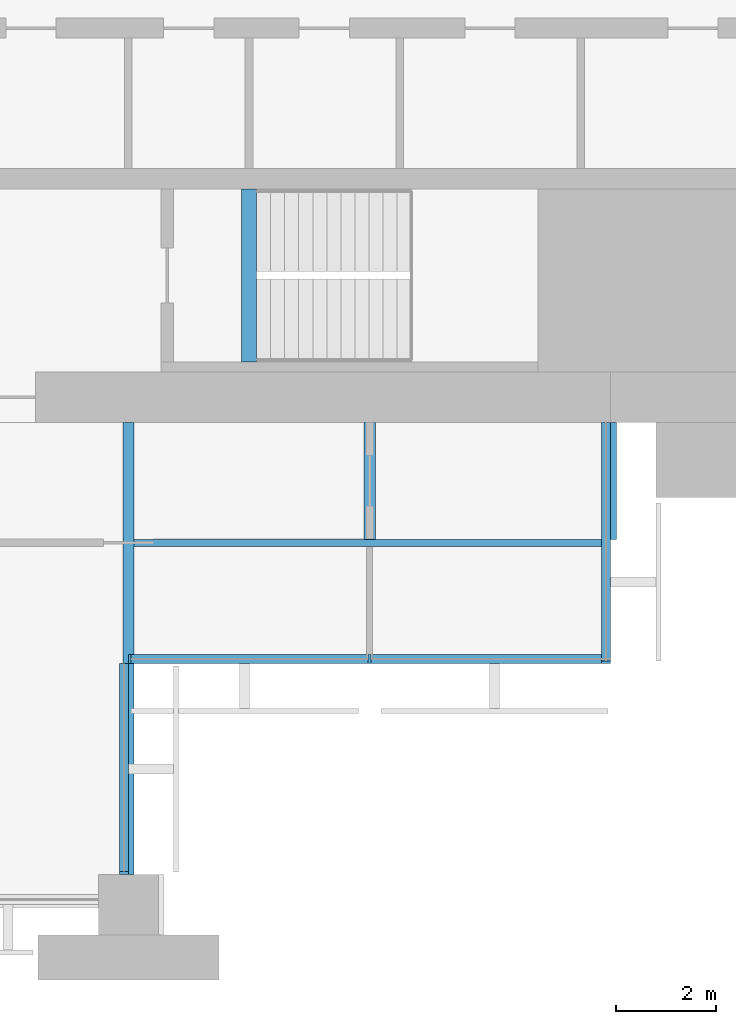
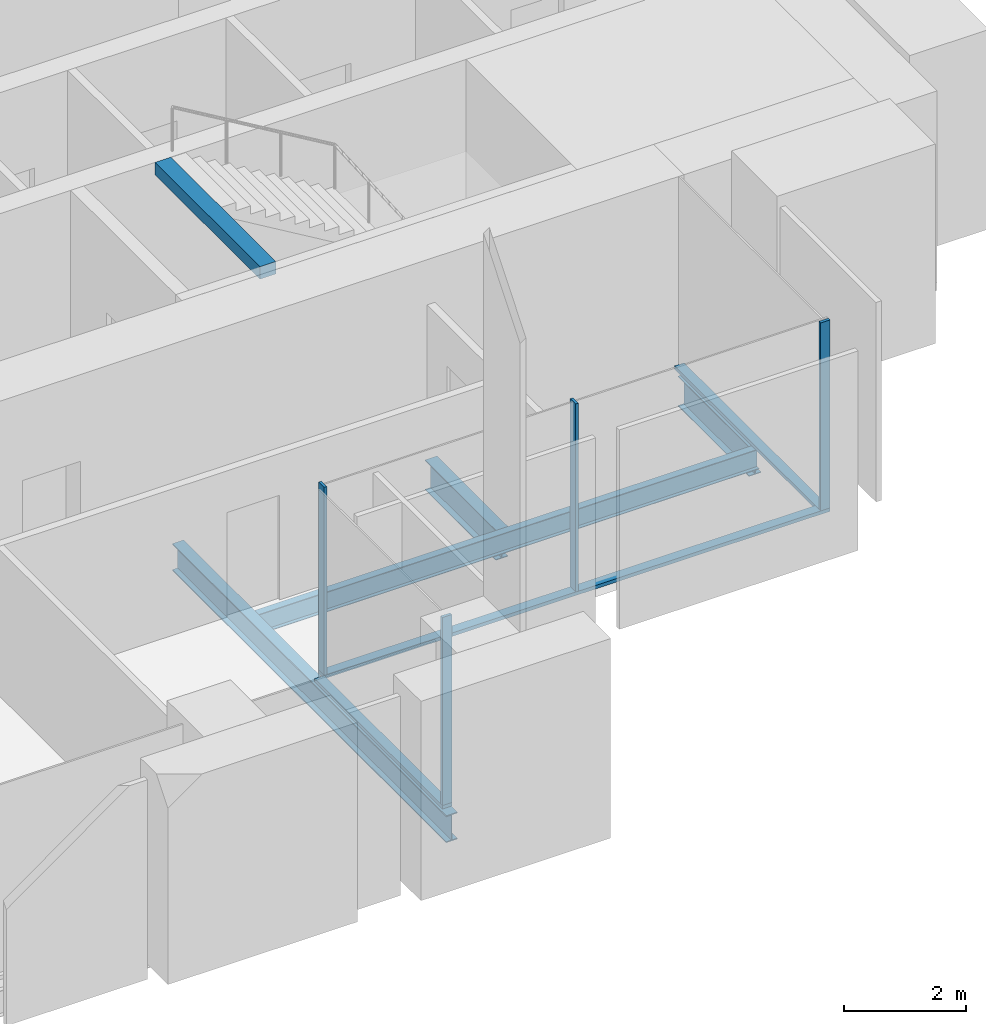
# One storey, part 4 of 14: 7 members, 5 beams, 3 elements without a shape of their own.
"""IFC4 building model written with IfcOpenShell, lengths in metres."""

from ifc_helpers import new_model, si_unit, direction, frame, origin, origin_2d, place, context, subcontext, project, spatial, rectangle, i_section, extrude, material, material_profile, profile_set, type_object, element, aggregate, save


model = new_model("IFC4")

# Units and contexts
model_context = context("Model", 3, precision=1e-05, world=origin(), true_north=direction((0.0, 1.0)))
body_context = subcontext(model_context, "Body", "Model", "MODEL_VIEW")
ifc_project = project(units=[si_unit("LENGTHUNIT", "METRE"), si_unit("AREAUNIT", "SQUARE_METRE"), si_unit("VOLUMEUNIT", "CUBIC_METRE"), si_unit("PLANEANGLEUNIT", "RADIAN"), si_unit("MASSUNIT", "GRAM", prefix="KILO")], contexts=[model_context])

# Site, building, storey
site_placement = place(None, origin())
site = spatial("IfcSite", under=ifc_project, at=site_placement, CompositionType="ELEMENT")
building_placement = place(site_placement, origin())
building = spatial("IfcBuilding", under=site, at=building_placement, Name="Baori Bourse Tower", CompositionType="ELEMENT")
storey_placement = place(building_placement, frame((0.0, 0.0, 108.10009765625)))
storey = spatial("IfcBuildingStorey", under=building, at=storey_placement, Name="L22", CompositionType="ELEMENT", Elevation=108.10009765625)

# Curtain wall, member
ifc_material_1 = material(Name="Pale anodised aluminium", Category="aluminium")
curtain_wall_type = type_object("IfcCurtainWallType", Name="CW2 Curtain wall", PredefinedType="NOTDEFINED", material=ifc_material_1)
curtain_wall_1_placement = place(storey_placement, origin())
curtain_wall_1 = element("IfcCurtainWall", 1, at=curtain_wall_1_placement, inside=storey, type_object=curtain_wall_type, Name="Curtain wall CW2 L22 12", PredefinedType="NOTDEFINED")
ifc_material_2 = material(Name="Pale anodised aluminium", Category="aluminium")
ifc_material_profile_1 = material_profile(ifc_material_2, rectangle(XDim=0.179931640625, YDim=0.054931640625, at=origin_2d()), Name="Mullion 55x180")
ifc_profile_set_1 = profile_set([ifc_material_profile_1], Name="Pale anodised aluminium")
member_type_1 = type_object("IfcMemberType", Name="CW2 Curtain wall mullion", PredefinedType="MULLION", material=ifc_profile_set_1)
member_1_placement = place(storey_placement, frame((43.110107421875, 0.62744140625, 0.06982421875), z_axis=(0.0, 0.0, 1.0), x_axis=(-1.0, 0.0, 0.0)))
member_1 = element("IfcMember", 2, at=member_1_placement, type_object=member_type_1, Name="Curtain wall CW2 mullion", PredefinedType="MULLION", context=body_context, shape_type="SweptSolid", body=[
    extrude(rectangle(XDim=0.179931640625, YDim=0.054931640625, at=origin_2d()), origin(), (0.0, 0.0, 1.0), 3.77001953125),
])

# Curtain wall, members
curtain_wall_2_placement = place(storey_placement, origin())
curtain_wall_2 = element("IfcCurtainWall", 3, at=curtain_wall_2_placement, inside=storey, type_object=curtain_wall_type, Name="Curtain wall CW2 L22 13", PredefinedType="NOTDEFINED")
member_2_placement = place(storey_placement, frame((43.2275390625, 4.889892578125, 0.06982421875), z_axis=(0.0, 0.0, 1.0), x_axis=(0.0, 1.0, 0.0)))
member_2 = element("IfcMember", 4, at=member_2_placement, type_object=member_type_1, Name="Curtain wall CW2 mullion", PredefinedType="MULLION", context=body_context, shape_type="SweptSolid", body=[
    extrude(rectangle(XDim=0.179931640625, YDim=0.054931640625, at=origin_2d()), origin(), (0.0, 0.0, 1.0), 3.77001953125),
])
member_3_placement = place(storey_placement, frame((48.0, 4.889892578125, 0.06982421875), z_axis=(0.0, 0.0, 1.0), x_axis=(0.0, 1.0, 0.0)))
member_3 = element("IfcMember", 5, at=member_3_placement, type_object=member_type_1, Name="Curtain wall CW2 mullion", PredefinedType="MULLION", context=body_context, shape_type="SweptSolid", body=[
    extrude(rectangle(XDim=0.179931640625, YDim=0.054931640625, at=origin_2d()), origin(), (0.0, 0.0, 1.0), 3.77001953125),
])

# Curtain wall, member
curtain_wall_3_placement = place(storey_placement, origin())
curtain_wall_3 = element("IfcCurtainWall", 6, at=curtain_wall_3_placement, inside=storey, type_object=curtain_wall_type, Name="Curtain wall CW2 L22 14", PredefinedType="NOTDEFINED")
member_4_placement = place(storey_placement, frame((52.7099609375, 4.827392578125, 0.06982421875), z_axis=(0.0, 0.0, 1.0), x_axis=(-1.0, 0.0, 0.0)))
member_4 = element("IfcMember", 7, at=member_4_placement, type_object=member_type_1, Name="Curtain wall CW2 mullion", PredefinedType="MULLION", context=body_context, shape_type="SweptSolid", body=[
    extrude(rectangle(XDim=0.179931640625, YDim=0.054931640625, at=origin_2d()), origin(), (0.0, 0.0, 1.0), 3.77001953125),
])

# Member
ifc_material_3 = material(Name="Pale anodised aluminium", Category="aluminium")
ifc_material_profile_2 = material_profile(ifc_material_3, rectangle(XDim=0.179931640625, YDim=0.070068359375, at=origin_2d()), Name="Transom 70x180")
ifc_profile_set_2 = profile_set([ifc_material_profile_2], Name="Pale anodised aluminium")
member_type_2 = type_object("IfcMemberType", Name="CW2 Curtain wall transom", PredefinedType="USERDEFINED", material=ifc_profile_set_2)
member_5_placement = place(storey_placement, frame((43.110107421875, 0.60009765625, 0.034912109375), z_axis=(0.0, 1.0, 0.0), x_axis=(-1.0, 0.0, 0.0)))
member_5 = element("IfcMember", 8, at=member_5_placement, type_object=member_type_2, Name="Curtain wall CW2 sill rail", ObjectType="TRANSOM", PredefinedType="USERDEFINED", context=body_context, shape_type="SweptSolid", body=[
    extrude(rectangle(XDim=0.179931640625, YDim=0.070068359375, at=origin_2d()), origin(), (0.0, 0.0, 1.0), 4.199951171875),
])

aggregate(curtain_wall_1, [member_5, member_1])

member_6_placement = place(storey_placement, frame((43.199951171875, 4.889892578125, 0.034912109375), z_axis=(1.0, 0.0, 0.0), x_axis=(0.0, 1.0, 0.0)))
member_6 = element("IfcMember", 9, at=member_6_placement, type_object=member_type_2, Name="Curtain wall CW2 sill rail", ObjectType="TRANSOM", PredefinedType="USERDEFINED", context=body_context, shape_type="SweptSolid", body=[
    extrude(rectangle(XDim=0.179931640625, YDim=0.070068359375, at=origin_2d()), origin(), (0.0, 0.0, 1.0), 9.60009765625),
])

aggregate(curtain_wall_2, [member_6, member_2, member_3])

member_7_placement = place(storey_placement, frame((52.7099609375, 4.800048828125, 0.034912109375), z_axis=(0.0, 1.0, 0.0), x_axis=(-1.0, 0.0, 0.0)))
member_7 = element("IfcMember", 10, at=member_7_placement, type_object=member_type_2, Name="Curtain wall CW2 sill rail", ObjectType="TRANSOM", PredefinedType="USERDEFINED", context=body_context, shape_type="SweptSolid", body=[
    extrude(rectangle(XDim=0.179931640625, YDim=0.070068359375, at=origin_2d()), origin(), (0.0, 0.0, 1.0), 4.800048828125),
])

aggregate(curtain_wall_3, [member_7, member_4])

# Beams
ifc_material_4 = material(Name="Steel A992 Gr 50", Category="steel")
ifc_material_profile_3 = material_profile(ifc_material_4, i_section(OverallWidth=0.227783203125, OverallDepth=0.60205078125, WebThickness=0.010498046875, FlangeThickness=0.014892578125, at=origin_2d()), Name="W24x68")
ifc_profile_set_3 = profile_set([ifc_material_profile_3], Name="Steel A992 Gr 50")
beam_type_1 = type_object("IfcBeamType", Name="Core bracket W24x68", PredefinedType="BEAM", material=ifc_profile_set_3)
for number, where, z_axis, x_axis, name in (
    (11, (48.0, 7.270263671875, -0.461181640625), (0.0, 1.0, 0.0), (-1.0, 0.0, 0.0), "Core bracket L22"),
    (12, (52.800048828125, 7.270263671875, -0.461181640625), (0.0, 1.0, 0.0), (-1.0, 0.0, 0.0), "Core bracket L22"),
):
    element("IfcBeam", number, at=place(storey_placement, frame(where, z_axis=z_axis, x_axis=x_axis)), inside=storey, type_object=beam_type_1, Name=name, PredefinedType="BEAM", context=body_context, shape_type="SweptSolid", body=[
        extrude(i_section(OverallWidth=0.227783203125, OverallDepth=0.60205078125, WebThickness=0.010498046875, FlangeThickness=0.014892578125, at=origin_2d()), origin(), (0.0, 0.0, 1.0), 2.329833984375),
    ])
ifc_material_5 = material(Name="Steel A992 Gr 50", Category="steel")
ifc_material_profile_4 = material_profile(ifc_material_5, i_section(OverallWidth=0.21240234375, OverallDepth=0.54345703125, WebThickness=0.01318359375, FlangeThickness=0.021240234375, at=origin_2d()), Name="W21x83")
ifc_profile_set_4 = profile_set([ifc_material_profile_4], Name="Steel A992 Gr 50")
beam_type_2 = type_object("IfcBeamType", Name="Floor beam W21x83", PredefinedType="BEAM", material=ifc_profile_set_4)
beam_1_placement = place(storey_placement, frame((43.199951171875, 0.60009765625, -0.431884765625), z_axis=(0.0, 1.0, 0.0), x_axis=(-1.0, 0.0, 0.0)))
element("IfcBeam", 13, at=beam_1_placement, inside=storey, type_object=beam_type_2, Name="Floor beam L22", PredefinedType="BEAM", context=body_context, shape_type="SweptSolid", body=[
    extrude(i_section(OverallWidth=0.21240234375, OverallDepth=0.54345703125, WebThickness=0.01318359375, FlangeThickness=0.021240234375, at=origin_2d()), origin(), (0.0, 0.0, 1.0), 9.0),
])
ifc_material_6 = material(Name="Concrete f'c 50 MPa", Category="concrete")
ifc_material_profile_5 = material_profile(ifc_material_6, rectangle(XDim=0.300048828125, YDim=0.25, at=origin_2d()), Name="RC 300x250")
ifc_profile_set_5 = profile_set([ifc_material_profile_5], Name="Concrete f'c 50 MPa")
beam_type_3 = type_object("IfcBeamType", Name="Stair nib beam RC 300x250", PredefinedType="BEAM", material=ifc_profile_set_5)
beam_2_placement = place(storey_placement, frame((45.60009765625, 10.800048828125, 3.71484375), z_axis=(0.0, 1.0, 0.0), x_axis=(-1.0, 0.0, 0.0)))
element("IfcBeam", 14, at=beam_2_placement, inside=storey, type_object=beam_type_3, Name="Stair EA nib beam L23", PredefinedType="BEAM", context=body_context, shape_type="SweptSolid", body=[
    extrude(rectangle(XDim=0.300048828125, YDim=0.25, at=origin_2d()), origin(), (0.0, 0.0, 1.0), 3.449951171875),
])
ifc_material_7 = material(Name="Steel A992 Gr 50", Category="steel")
ifc_material_profile_6 = material_profile(ifc_material_7, i_section(OverallWidth=0.140380859375, OverallDepth=0.40380859375, WebThickness=0.007080078125, FlangeThickness=0.01123046875, at=origin_2d()), Name="W16x31")
ifc_profile_set_6 = profile_set([ifc_material_profile_6], Name="Steel A992 Gr 50")
beam_type_4 = type_object("IfcBeamType", Name="Trimmer beam W16x31", PredefinedType="BEAM", material=ifc_profile_set_6)
beam_3_placement = place(storey_placement, frame((43.30615234375, 7.199951171875, -0.362060546875), z_axis=(1.0, 0.0, 0.0), x_axis=(0.0, 1.0, 0.0)))
element("IfcBeam", 15, at=beam_3_placement, inside=storey, type_object=beam_type_4, Name="Trimmer beam L22", PredefinedType="BEAM", context=body_context, shape_type="SweptSolid", body=[
    extrude(i_section(OverallWidth=0.140380859375, OverallDepth=0.40380859375, WebThickness=0.007080078125, FlangeThickness=0.01123046875, at=origin_2d()), origin(), (0.0, 0.0, 1.0), 9.493896484375),
])

save(model, "model.ifc")
